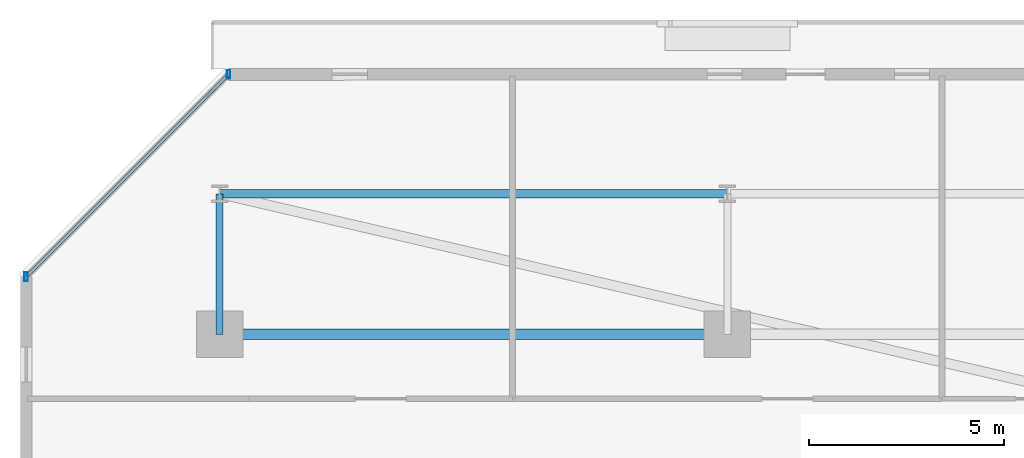
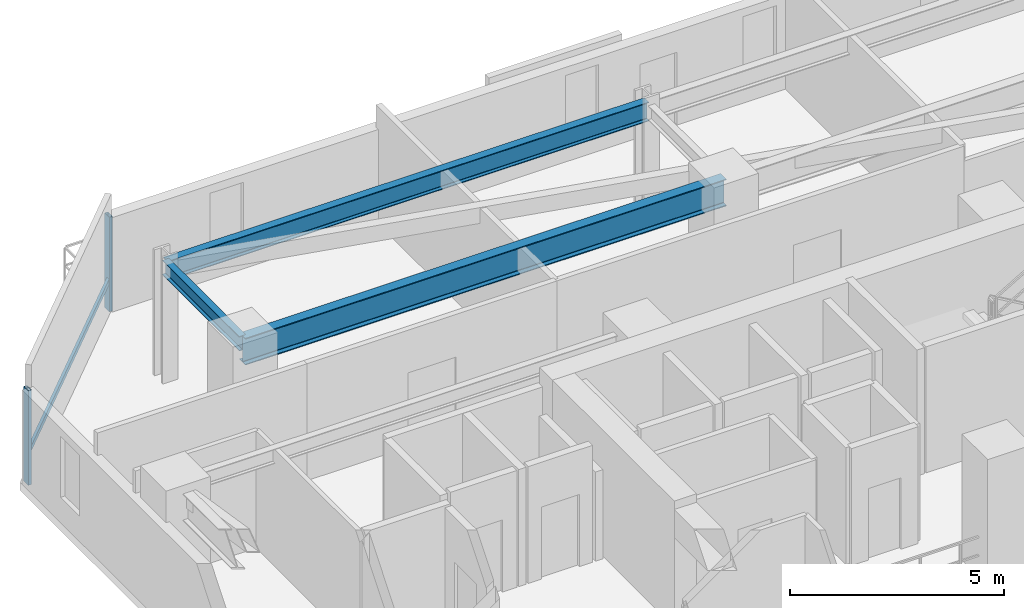
# One storey, part 8 of 31: 3 beams, 3 members, 1 element without a shape of its own.
"""IFC4 building model written with IfcOpenShell, lengths in metres."""

from ifc_helpers import new_model, si_unit, direction, frame, origin, origin_2d, place, context, subcontext, project, spatial, hollow_rectangle, i_section, extrude, material, material_profile, profile_set, type_object, element, aggregate, save


model = new_model("IFC4")

# Units and contexts
model_context = context("Model", 3, precision=1e-05, world=origin(), true_north=direction((0.0, 1.0)))
body_context = subcontext(model_context, "Body", "Model", "MODEL_VIEW")
ifc_project = project(units=[si_unit("LENGTHUNIT", "METRE"), si_unit("AREAUNIT", "SQUARE_METRE"), si_unit("VOLUMEUNIT", "CUBIC_METRE"), si_unit("PLANEANGLEUNIT", "RADIAN"), si_unit("MASSUNIT", "GRAM", prefix="KILO")], contexts=[model_context])

# Site, building, storey
site_placement = place(None, origin())
site = spatial("IfcSite", under=ifc_project, at=site_placement, CompositionType="ELEMENT")
building_placement = place(site_placement, origin())
building = spatial("IfcBuilding", under=site, at=building_placement, Name="Thornwick Lancets Civic Towers", CompositionType="ELEMENT")
storey_placement = place(building_placement, frame((0.0, 0.0, 87.300048828125)))
storey = spatial("IfcBuildingStorey", under=building, at=storey_placement, Name="L22", CompositionType="ELEMENT", Elevation=87.300048828125)

# Beams
ifc_material_1 = material(Name="Steel S355JR", Category="steel")
ifc_material_profile_1 = material_profile(ifc_material_1, i_section(OverallWidth=0.2119140625, OverallDepth=0.54443359375, WebThickness=0.0126953125, FlangeThickness=0.021240234375, FilletRadius=0.0126953125, at=origin_2d()), Name="UKB 533x210x122")
ifc_profile_set_1 = profile_set([ifc_material_profile_1], Name="Steel S355JR")
beam_type_1 = type_object("IfcBeamType", Name="BM_EDGE_533_122", PredefinedType="SPANDREL", material=ifc_profile_set_1)
beam_1_placement = place(storey_placement, frame((12.5, 47.89990234375, 3.087646484375), z_axis=(1.0, 0.0, 0.0), x_axis=(0.0, 1.0, 0.0)))
element("IfcBeam", 1, at=beam_1_placement, inside=storey, type_object=beam_type_1, Name="BM-EDGE-L22-A-S2-1", PredefinedType="SPANDREL", context=body_context, shape_type="SweptSolid", body=[
    extrude(i_section(OverallWidth=0.2119140625, OverallDepth=0.54443359375, WebThickness=0.0126953125, FlangeThickness=0.021240234375, FilletRadius=0.0126953125, at=origin_2d()), origin(), (0.0, 0.0, 1.0), 13.0),
])
ifc_material_profile_2 = material_profile(ifc_material_1, i_section(OverallWidth=0.26806640625, OverallDepth=0.769775390625, WebThickness=0.015625, FlangeThickness=0.025390625, FilletRadius=0.0166015625, at=origin_2d()), Name="UKB 762x267x197")
ifc_profile_set_2 = profile_set([ifc_material_profile_2], Name="Steel S355JR")
beam_type_2 = type_object("IfcBeamType", Name="BM_GIRD_762_197", PredefinedType="BEAM", material=ifc_profile_set_2)
beam_2_placement = place(storey_placement, frame((12.5, 44.300048828125, 2.97509765625), z_axis=(1.0, 0.0, 0.0), x_axis=(0.0, 1.0, 0.0)))
element("IfcBeam", 2, at=beam_2_placement, inside=storey, type_object=beam_type_2, Name="BM-SPINE-L22-A-6-7", PredefinedType="BEAM", context=body_context, shape_type="SweptSolid", body=[
    extrude(i_section(OverallWidth=0.26806640625, OverallDepth=0.769775390625, WebThickness=0.015625, FlangeThickness=0.025390625, FilletRadius=0.0166015625, at=origin_2d()), origin(), (0.0, 0.0, 1.0), 13.0),
])
ifc_material_profile_3 = material_profile(ifc_material_1, i_section(OverallWidth=0.179443359375, OverallDepth=0.412841796875, WebThickness=0.009521484375, FlangeThickness=0.01611328125, FilletRadius=0.01025390625, at=origin_2d()), Name="UKB 406x178x74")
ifc_profile_set_3 = profile_set([ifc_material_profile_3], Name="Steel S355JR")
beam_type_3 = type_object("IfcBeamType", Name="BM_JOIST_406_74", PredefinedType="JOIST", material=ifc_profile_set_3)
beam_3_placement = place(storey_placement, frame((12.5, 44.300048828125, 3.153564453125), z_axis=(0.0, 1.0, 0.0), x_axis=(-1.0, 0.0, 0.0)))
element("IfcBeam", 3, at=beam_3_placement, inside=storey, type_object=beam_type_3, Name="BM-RAD-L22-A07", PredefinedType="JOIST", context=body_context, shape_type="SweptSolid", body=[
    extrude(i_section(OverallWidth=0.179443359375, OverallDepth=0.412841796875, WebThickness=0.009521484375, FlangeThickness=0.01611328125, FilletRadius=0.01025390625, at=origin_2d()), origin(), (0.0, 0.0, 1.0), 3.599853515625),
])

# Curtain wall, members
ifc_material_2 = material(Name="Low-zone chamfered-corner unitised glass curtain wall", Category="glass")
curtain_wall_type = type_object("IfcCurtainWallType", Name="CW_SYS_03", PredefinedType="NOTDEFINED", material=ifc_material_2)
curtain_wall_placement = place(storey_placement, origin())
curtain_wall = element("IfcCurtainWall", 4, at=curtain_wall_placement, inside=storey, type_object=curtain_wall_type, Name="L22 Curtain Wall CW-L22-A-E5", PredefinedType="NOTDEFINED")
ifc_material_3 = material(Name="Thermally broken bronze aluminium S355", Category="steel")
ifc_material_profile_4 = material_profile(ifc_material_3, hollow_rectangle(XDim=0.090087890625, YDim=0.219970703125, WallThickness=0.00634765625, at=origin_2d()), Name="RHS 220x90x6.3")
ifc_profile_set_4 = profile_set([ifc_material_profile_4], Name="Thermally broken bronze aluminium S355")
member_type_1 = type_object("IfcMemberType", Name="CW_MUL_220", PredefinedType="MULLION", material=ifc_profile_set_4)
member_1_placement = place(storey_placement, frame((12.726318359375, 50.956298828125, 0.0), z_axis=(0.0, 0.0, 1.0), x_axis=(1.0, 0.0, 0.0)))
member_1 = element("IfcMember", 5, at=member_1_placement, type_object=member_type_1, Name="CW-L22-A-E5 Mullion 0", PredefinedType="MULLION", context=body_context, shape_type="SweptSolid", body=[
    extrude(hollow_rectangle(XDim=0.090087890625, YDim=0.219970703125, WallThickness=0.00634765625, at=origin_2d()), origin(), (0.0, 0.0, 1.0), 2.699951171875),
])
member_2_placement = place(storey_placement, frame((7.543701171875, 45.773681640625, 0.0), z_axis=(0.0, 0.0, 1.0), x_axis=(1.0, 0.0, 0.0)))
member_2 = element("IfcMember", 6, at=member_2_placement, type_object=member_type_1, Name="CW-L22-A-E5 Mullion 1", PredefinedType="MULLION", context=body_context, shape_type="SweptSolid", body=[
    extrude(hollow_rectangle(XDim=0.090087890625, YDim=0.219970703125, WallThickness=0.00634765625, at=origin_2d()), origin(), (0.0, 0.0, 1.0), 2.699951171875),
])
ifc_material_profile_5 = material_profile(ifc_material_3, hollow_rectangle(XDim=0.074951171875, YDim=0.14990234375, WallThickness=0.0048828125, at=origin_2d()), Name="RHS 150x75x5")
ifc_profile_set_5 = profile_set([ifc_material_profile_5], Name="Thermally broken bronze aluminium S355")
member_type_2 = type_object("IfcMemberType", Name="CW_TRN_150", PredefinedType="USERDEFINED", material=ifc_profile_set_5)
member_3_placement = place(storey_placement, frame((12.712158203125, 50.942138671875, 0.849853515625), z_axis=(-0.707106781187, -0.707106781187, 0.0), x_axis=(0.707106781187, -0.707106781187, 0.0)))
member_3 = element("IfcMember", 7, at=member_3_placement, type_object=member_type_2, Name="CW-L22-A-E5 Transom 0", ObjectType="TRANSOM", PredefinedType="USERDEFINED", context=body_context, shape_type="SweptSolid", body=[
    extrude(hollow_rectangle(XDim=0.074951171875, YDim=0.14990234375, WallThickness=0.0048828125, at=origin_2d()), origin(), (0.0, 0.0, 1.0), 7.289306640625),
])
aggregate(curtain_wall, [member_1, member_2, member_3])

save(model, "model.ifc")
